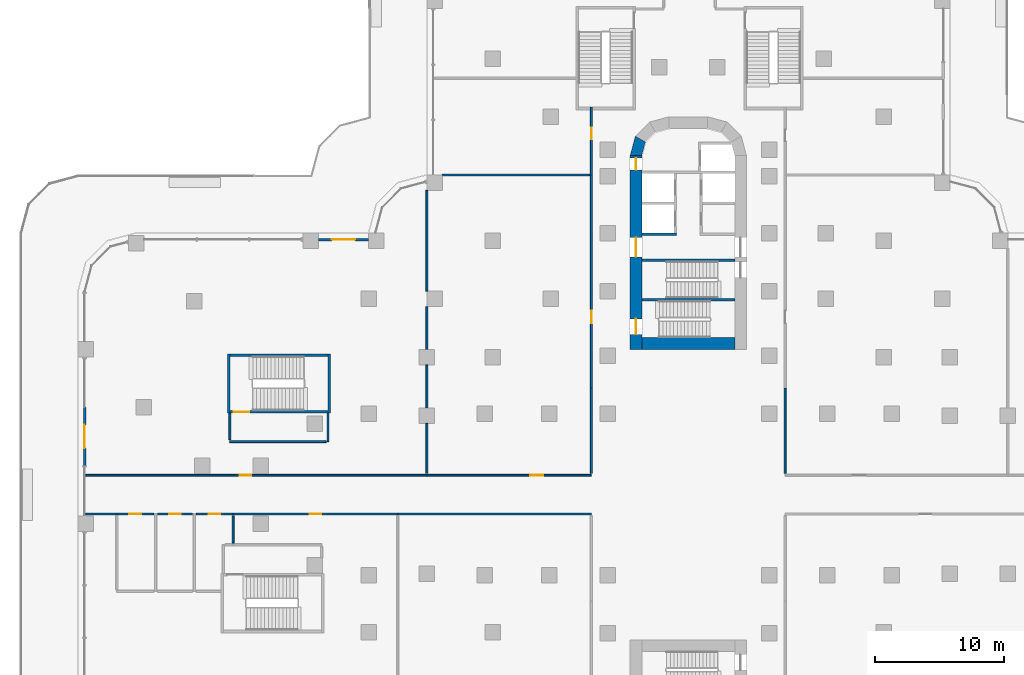
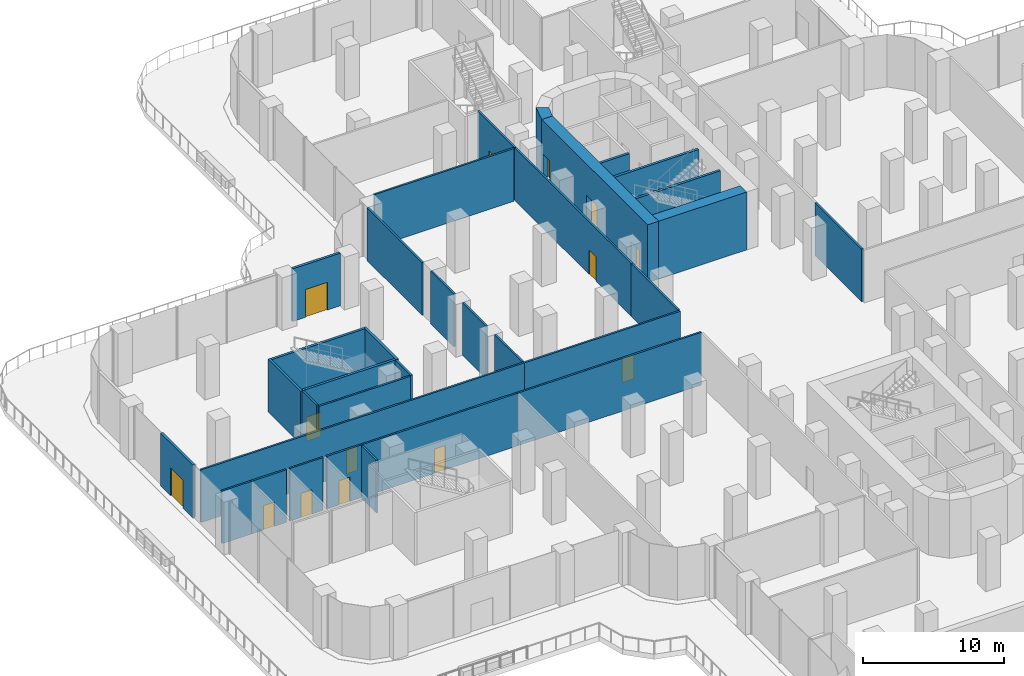
# One storey, part 20 of 29: 33 walls, 14 doors, 14 openings.
"""IFC4 building model written with IfcOpenShell, lengths in metres."""

from ifc_helpers import new_model, si_unit, direction, frame, frame_2d, origin, place, context, subcontext, project, spatial, polyline, rectangle, outline, extrude, material, layer, layer_set, type_object, element, fill, save


model = new_model("IFC4")

# Units and contexts
model_context = context("Model", 3, precision=1e-05, world=origin(), true_north=direction((0.0, 1.0)))
body_context = subcontext(model_context, "Body", "Model", "MODEL_VIEW")
ifc_project = project(units=[si_unit("LENGTHUNIT", "METRE"), si_unit("AREAUNIT", "SQUARE_METRE"), si_unit("VOLUMEUNIT", "CUBIC_METRE"), si_unit("PLANEANGLEUNIT", "RADIAN"), si_unit("MASSUNIT", "GRAM", prefix="KILO")], contexts=[model_context])

# Site, building, storey
site_placement = place(None, origin())
site = spatial("IfcSite", under=ifc_project, at=site_placement, CompositionType="ELEMENT")
building_placement = place(site_placement, origin())
building = spatial("IfcBuilding", under=site, at=building_placement, Name="Zarbagh Exchange Tower", CompositionType="ELEMENT")
storey_placement = place(building_placement, frame((0.0, 0.0, 12.0)))
storey = spatial("IfcBuildingStorey", under=building, at=storey_placement, Name="L02", CompositionType="ELEMENT", Elevation=12.0)

# Walls
ifc_material_1 = material(Name="Plasterboard partition")
ifc_layer_1 = layer(ifc_material_1, 0.14990234375)
ifc_layer_set_1 = layer_set([ifc_layer_1], Name="Board partition 150")
wall_type_1 = type_object("IfcWallType", Name="Board partition 150", PredefinedType="PARTITIONING", material=ifc_layer_set_1)
wall_1_placement = place(storey_placement, frame((-27.89990234375, 6.300048828125, 0.0), z_axis=(0.0, 0.0, 1.0), x_axis=(0.0, -1.0, 0.0)))
element("IfcWall", 1, at=wall_1_placement, inside=storey, type_object=wall_type_1, Name="WL-L02-W010", PredefinedType="PARTITIONING", context=body_context, shape_type="SweptSolid", body=[
    extrude(rectangle(XDim=2.199951171875, YDim=0.14990234375, at=frame_2d((1.10009765625, 0.0))), origin(), (0.0, 0.0, 1.0), 4.550048828125),
])
wall_2_placement = place(storey_placement, frame((-28.050048828125, 4.10009765625, 0.0), z_axis=(0.0, 0.0, 1.0), x_axis=(-1.0, 0.0, 0.0)))
element("IfcWall", 2, at=wall_2_placement, inside=storey, type_object=wall_type_1, Name="WL-L02-W011", PredefinedType="PARTITIONING", context=body_context, shape_type="SweptSolid", body=[
    extrude(rectangle(XDim=7.449951171875, YDim=0.14990234375, at=frame_2d((3.72509765625, 0.0))), origin(), (0.0, 0.0, 1.0), 4.550048828125),
])
wall_3_placement = place(storey_placement, frame((-35.5, 4.25, 0.0), z_axis=(0.0, 0.0, 1.0), x_axis=(0.0, 1.0, 0.0)))
element("IfcWall", 3, at=wall_3_placement, inside=storey, type_object=wall_type_1, Name="WL-L02-W012", PredefinedType="PARTITIONING", context=body_context, shape_type="SweptSolid", body=[
    extrude(rectangle(XDim=2.050048828125, YDim=0.14990234375, at=frame_2d((1.02490234375, 0.0))), origin(), (0.0, 0.0, 1.0), 4.550048828125),
])

# Wall, opening, door
wall_4_placement = place(storey_placement, frame((-41.39990234375, -1.5, 0.0), z_axis=(0.0, 0.0, 1.0), x_axis=(-1.0, 0.0, 0.0)))
wall_4 = element("IfcWall", 4, at=wall_4_placement, inside=storey, type_object=wall_type_1, Name="WL-L02-W022", PredefinedType="PARTITIONING", context=body_context, shape_type="SweptSolid", body=[
    extrude(rectangle(XDim=2.85009765625, YDim=0.14990234375, at=frame_2d((1.425048828125, 0.0))), origin(), (0.0, 0.0, 1.0), 4.550048828125),
])
opening_1_placement = place(wall_4_placement, frame((0.97509765625, 0.0, 0.0)))
opening_1 = element("IfcOpeningElement", 5, at=opening_1_placement, cuts=wall_4, Name="Opening D34", PredefinedType="OPENING", context=body_context, shape_type="SweptSolid", body=[
    extrude(rectangle(XDim=0.89990234375, YDim=2.10009765625, at=frame_2d((0.449951171875, 1.050048828125))), frame((0.0, 0.0849609375, 0.0), z_axis=(0.0, -1.0, 0.0), x_axis=(1.0, 0.0, 0.0)), (0.0, 0.0, 1.0), 0.169921875),
])
ifc_material_2 = material(Name="Timber door leaf", Category="wood")
door_type_1 = type_object("IfcDoorType", Name="Door single 900x2100", OperationType="SINGLE_SWING_LEFT", PredefinedType="DOOR", material=ifc_material_2)
door_1_placement = place(opening_1_placement, origin())
door_1 = element("IfcDoor", 6, at=door_1_placement, inside=storey, type_object=door_type_1, Name="D03", OperationType="SINGLE_SWING_LEFT", OverallHeight=2.10009765625, OverallWidth=0.89990234375, PredefinedType="DOOR", context=body_context, shape_type="SweptSolid", body=[
    extrude(rectangle(XDim=0.89990234375, YDim=2.10009765625, at=frame_2d((0.449951171875, 1.050048828125))), frame((0.0, 0.02490234375, 0.0), z_axis=(0.0, -1.0, 0.0), x_axis=(1.0, 0.0, 0.0)), (0.0, 0.0, 1.0), 0.050048828125),
])
fill(opening_1, door_1)

wall_5_placement = place(storey_placement, frame((-38.39990234375, -1.5, 0.0), z_axis=(0.0, 0.0, 1.0), x_axis=(-1.0, 0.0, 0.0)))
wall_5 = element("IfcWall", 7, at=wall_5_placement, inside=storey, type_object=wall_type_1, Name="WL-L02-W026", PredefinedType="PARTITIONING", context=body_context, shape_type="SweptSolid", body=[
    extrude(rectangle(XDim=2.7001953125, YDim=0.14990234375, at=frame_2d((1.35009765625, 0.0))), origin(), (0.0, 0.0, 1.0), 4.550048828125),
])
opening_2_placement = place(wall_5_placement, frame((0.89990234375, 0.0, 0.0)))
opening_2 = element("IfcOpeningElement", 8, at=opening_2_placement, cuts=wall_5, Name="Opening D37", PredefinedType="OPENING", context=body_context, shape_type="SweptSolid", body=[
    extrude(rectangle(XDim=0.89990234375, YDim=2.10009765625, at=frame_2d((0.449951171875, 1.050048828125))), frame((0.0, 0.0849609375, 0.0), z_axis=(0.0, -1.0, 0.0), x_axis=(1.0, 0.0, 0.0)), (0.0, 0.0, 1.0), 0.169921875),
])
door_2_placement = place(opening_2_placement, origin())
door_2 = element("IfcDoor", 9, at=door_2_placement, inside=storey, type_object=door_type_1, Name="D04", OperationType="SINGLE_SWING_LEFT", OverallHeight=2.10009765625, OverallWidth=0.89990234375, PredefinedType="DOOR", context=body_context, shape_type="SweptSolid", body=[
    extrude(rectangle(XDim=0.89990234375, YDim=2.10009765625, at=frame_2d((0.449951171875, 1.050048828125))), frame((0.0, 0.02490234375, 0.0), z_axis=(0.0, -1.0, 0.0), x_axis=(1.0, 0.0, 0.0)), (0.0, 0.0, 1.0), 0.050048828125),
])
fill(opening_2, door_2)

wall_6_placement = place(storey_placement, frame((-35.25, -1.5, 0.0), z_axis=(0.0, 0.0, 1.0), x_axis=(-1.0, 0.0, 0.0)))
wall_6 = element("IfcWall", 10, at=wall_6_placement, inside=storey, type_object=wall_type_1, Name="WL-L02-W028", PredefinedType="PARTITIONING", context=body_context, shape_type="SweptSolid", body=[
    extrude(rectangle(XDim=2.85009765625, YDim=0.14990234375, at=frame_2d((1.425048828125, 0.0))), origin(), (0.0, 0.0, 1.0), 4.550048828125),
])
opening_3_placement = place(wall_6_placement, frame((0.97509765625, 0.0, 0.0)))
opening_3 = element("IfcOpeningElement", 11, at=opening_3_placement, cuts=wall_6, Name="Opening D41", PredefinedType="OPENING", context=body_context, shape_type="SweptSolid", body=[
    extrude(rectangle(XDim=0.89990234375, YDim=2.10009765625, at=frame_2d((0.449951171875, 1.050048828125))), frame((0.0, 0.0849609375, 0.0), z_axis=(0.0, -1.0, 0.0), x_axis=(1.0, 0.0, 0.0)), (0.0, 0.0, 1.0), 0.169921875),
])
door_3_placement = place(opening_3_placement, origin())
door_3 = element("IfcDoor", 12, at=door_3_placement, inside=storey, type_object=door_type_1, Name="D05", OperationType="SINGLE_SWING_LEFT", OverallHeight=2.10009765625, OverallWidth=0.89990234375, PredefinedType="DOOR", context=body_context, shape_type="SweptSolid", body=[
    extrude(rectangle(XDim=0.89990234375, YDim=2.10009765625, at=frame_2d((0.449951171875, 1.050048828125))), frame((0.0, 0.02490234375, 0.0), z_axis=(0.0, -1.0, 0.0), x_axis=(1.0, 0.0, 0.0)), (0.0, 0.0, 1.0), 0.050048828125),
])
fill(opening_3, door_3)

# Wall
wall_7_placement = place(storey_placement, frame((-35.25, -1.64990234375, 0.0), z_axis=(0.0, 0.0, 1.0), x_axis=(0.0, -1.0, 0.0)))
element("IfcWall", 13, at=wall_7_placement, inside=storey, type_object=wall_type_1, Name="WL-L02-W030", PredefinedType="PARTITIONING", context=body_context, shape_type="SweptSolid", body=[
    extrude(rectangle(XDim=2.10009765625, YDim=0.14990234375, at=frame_2d((1.050048828125, 0.0))), origin(), (0.0, 0.0, 1.0), 4.550048828125),
])

# Wall, opening, door
wall_8_placement = place(storey_placement, frame((-7.5, 8.25, 0.0), z_axis=(0.0, 0.0, 1.0), x_axis=(0.0, 1.0, 0.0)))
wall_8 = element("IfcWall", 14, at=wall_8_placement, inside=storey, type_object=wall_type_1, Name="WL-L02-W033", PredefinedType="PARTITIONING", context=body_context, shape_type="SweptSolid", body=[
    extrude(rectangle(XDim=16.5, YDim=0.14990234375, at=frame_2d((8.25, 0.0))), origin(), (0.0, 0.0, 1.0), 4.550048828125),
])
opening_4_placement = place(wall_8_placement, frame((5.0, 0.0, 0.0)))
opening_4 = element("IfcOpeningElement", 15, at=opening_4_placement, cuts=wall_8, Name="Opening D50", PredefinedType="OPENING", context=body_context, shape_type="SweptSolid", body=[
    extrude(rectangle(XDim=1.0, YDim=2.10009765625, at=frame_2d((0.5, 1.050048828125))), frame((0.0, 0.0849609375, 0.0), z_axis=(0.0, -1.0, 0.0), x_axis=(1.0, 0.0, 0.0)), (0.0, 0.0, 1.0), 0.169921875),
])
door_type_2 = type_object("IfcDoorType", Name="Door single 1000x2100", OperationType="SINGLE_SWING_LEFT", PredefinedType="DOOR", material=ifc_material_2)
door_4_placement = place(opening_4_placement, origin())
door_4 = element("IfcDoor", 16, at=door_4_placement, inside=storey, type_object=door_type_2, Name="D08", OperationType="SINGLE_SWING_LEFT", OverallHeight=2.10009765625, OverallWidth=1.0, PredefinedType="DOOR", context=body_context, shape_type="SweptSolid", body=[
    extrude(rectangle(XDim=1.0, YDim=2.10009765625, at=frame_2d((0.5, 1.050048828125))), frame((0.0, 0.02490234375, 0.0), z_axis=(0.0, -1.0, 0.0), x_axis=(1.0, 0.0, 0.0)), (0.0, 0.0, 1.0), 0.050048828125),
])
fill(opening_4, door_4)

wall_9_placement = place(storey_placement, frame((-7.5, 24.75, 0.0), z_axis=(0.0, 0.0, 1.0), x_axis=(0.0, 1.0, 0.0)))
wall_9 = element("IfcWall", 17, at=wall_9_placement, inside=storey, type_object=wall_type_1, Name="WL-L02-W034", PredefinedType="PARTITIONING", context=body_context, shape_type="SweptSolid", body=[
    extrude(rectangle(XDim=5.25, YDim=0.14990234375, at=frame_2d((2.625, 0.0))), origin(), (0.0, 0.0, 1.0), 4.550048828125),
])
opening_5_placement = place(wall_9_placement, frame((2.75, 0.0, 0.0)))
opening_5 = element("IfcOpeningElement", 18, at=opening_5_placement, cuts=wall_9, Name="Opening D09", PredefinedType="OPENING", context=body_context, shape_type="SweptSolid", body=[
    extrude(rectangle(XDim=0.89990234375, YDim=2.10009765625, at=frame_2d((0.449951171875, 1.050048828125))), frame((0.0, 0.0849609375, 0.0), z_axis=(0.0, -1.0, 0.0), x_axis=(1.0, 0.0, 0.0)), (0.0, 0.0, 1.0), 0.169921875),
])
door_5_placement = place(opening_5_placement, origin())
door_5 = element("IfcDoor", 19, at=door_5_placement, inside=storey, type_object=door_type_1, Name="D09", OperationType="SINGLE_SWING_LEFT", OverallHeight=2.10009765625, OverallWidth=0.89990234375, PredefinedType="DOOR", context=body_context, shape_type="SweptSolid", body=[
    extrude(rectangle(XDim=0.89990234375, YDim=2.10009765625, at=frame_2d((0.449951171875, 1.050048828125))), frame((0.0, 0.02490234375, 0.0), z_axis=(0.0, -1.0, 0.0), x_axis=(1.0, 0.0, 0.0)), (0.0, 0.0, 1.0), 0.050048828125),
])
fill(opening_5, door_5)

wall_10_placement = place(storey_placement, frame((-20.25, 1.5, 0.0), z_axis=(0.0, 0.0, 1.0), x_axis=(1.0, 0.0, 0.0)))
wall_10 = element("IfcWall", 20, at=wall_10_placement, inside=storey, type_object=wall_type_1, Name="WL-L02-W043", PredefinedType="PARTITIONING", context=body_context, shape_type="SweptSolid", body=[
    extrude(rectangle(XDim=12.75, YDim=0.14990234375, at=frame_2d((6.375, 0.0))), origin(), (0.0, 0.0, 1.0), 4.550048828125),
])
opening_6_placement = place(wall_10_placement, frame((8.0, 0.0, 0.0)))
opening_6 = element("IfcOpeningElement", 21, at=opening_6_placement, cuts=wall_10, Name="Opening D60", PredefinedType="OPENING", context=body_context, shape_type="SweptSolid", body=[
    extrude(rectangle(XDim=1.0, YDim=2.10009765625, at=frame_2d((0.5, 1.050048828125))), frame((0.0, 0.0849609375, 0.0), z_axis=(0.0, -1.0, 0.0), x_axis=(1.0, 0.0, 0.0)), (0.0, 0.0, 1.0), 0.169921875),
])
door_6_placement = place(opening_6_placement, origin())
door_6 = element("IfcDoor", 22, at=door_6_placement, inside=storey, type_object=door_type_2, Name="D15", OperationType="SINGLE_SWING_LEFT", OverallHeight=2.10009765625, OverallWidth=1.0, PredefinedType="DOOR", context=body_context, shape_type="SweptSolid", body=[
    extrude(rectangle(XDim=1.0, YDim=2.10009765625, at=frame_2d((0.5, 1.050048828125))), frame((0.0, 0.02490234375, 0.0), z_axis=(0.0, -1.0, 0.0), x_axis=(1.0, 0.0, 0.0)), (0.0, 0.0, 1.0), 0.050048828125),
])
fill(opening_6, door_6)

wall_11_placement = place(storey_placement, frame((-46.64990234375, 1.5, 0.0), z_axis=(0.0, 0.0, 1.0), x_axis=(1.0, 0.0, 0.0)))
wall_11 = element("IfcWall", 23, at=wall_11_placement, inside=storey, type_object=wall_type_1, Name="WL-L02-W044", PredefinedType="PARTITIONING", context=body_context, shape_type="SweptSolid", body=[
    extrude(rectangle(XDim=26.39990234375, YDim=0.14990234375, at=frame_2d((13.199951171875, 0.0))), origin(), (0.0, 0.0, 1.0), 4.550048828125),
])
opening_7_placement = place(wall_11_placement, frame((11.89990234375, 0.0, 0.0)))
opening_7 = element("IfcOpeningElement", 24, at=opening_7_placement, cuts=wall_11, Name="Opening D16", PredefinedType="OPENING", context=body_context, shape_type="SweptSolid", body=[
    extrude(rectangle(XDim=0.89990234375, YDim=2.10009765625, at=frame_2d((0.449951171875, 1.050048828125))), frame((0.0, 0.0849609375, 0.0), z_axis=(0.0, -1.0, 0.0), x_axis=(1.0, 0.0, 0.0)), (0.0, 0.0, 1.0), 0.169921875),
])
door_7_placement = place(opening_7_placement, origin())
door_7 = element("IfcDoor", 25, at=door_7_placement, inside=storey, type_object=door_type_1, Name="D16", OperationType="SINGLE_SWING_LEFT", OverallHeight=2.10009765625, OverallWidth=0.89990234375, PredefinedType="DOOR", context=body_context, shape_type="SweptSolid", body=[
    extrude(rectangle(XDim=0.89990234375, YDim=2.10009765625, at=frame_2d((0.449951171875, 1.050048828125))), frame((0.0, 0.02490234375, 0.0), z_axis=(0.0, -1.0, 0.0), x_axis=(1.0, 0.0, 0.0)), (0.0, 0.0, 1.0), 0.050048828125),
])
fill(opening_7, door_7)

# Walls
wall_12_placement = place(storey_placement, frame((-7.5, -1.5, 0.0), z_axis=(0.0, 0.0, 1.0), x_axis=(-1.0, 0.0, 0.0)))
element("IfcWall", 26, at=wall_12_placement, inside=storey, type_object=wall_type_1, Name="WL-L02-W045", PredefinedType="PARTITIONING", context=body_context, shape_type="SweptSolid", body=[
    extrude(rectangle(XDim=15.0, YDim=0.14990234375, at=frame_2d((7.5, 0.0))), origin(), (0.0, 0.0, 1.0), 4.550048828125),
])
wall_13_placement = place(storey_placement, frame((-44.25, -1.5, 0.0), z_axis=(0.0, 0.0, 1.0), x_axis=(-1.0, 0.0, 0.0)))
element("IfcWall", 27, at=wall_13_placement, inside=storey, type_object=wall_type_1, Name="WL-L02-W046", PredefinedType="PARTITIONING", context=body_context, shape_type="SweptSolid", body=[
    extrude(rectangle(XDim=2.39990234375, YDim=0.14990234375, at=frame_2d((1.199951171875, 0.0))), origin(), (0.0, 0.0, 1.0), 4.550048828125),
])

# Wall, opening, door
wall_14_placement = place(storey_placement, frame((-22.5, -1.5, 0.0), z_axis=(0.0, 0.0, 1.0), x_axis=(-1.0, 0.0, 0.0)))
wall_14 = element("IfcWall", 28, at=wall_14_placement, inside=storey, type_object=wall_type_1, Name="WL-L02-W047", PredefinedType="PARTITIONING", context=body_context, shape_type="SweptSolid", body=[
    extrude(rectangle(XDim=12.75, YDim=0.14990234375, at=frame_2d((6.375, 0.0))), origin(), (0.0, 0.0, 1.0), 4.550048828125),
])
opening_8_placement = place(wall_14_placement, frame((5.925048828125, 0.0, 0.0)))
opening_8 = element("IfcOpeningElement", 29, at=opening_8_placement, cuts=wall_14, Name="Opening D17", PredefinedType="OPENING", context=body_context, shape_type="SweptSolid", body=[
    extrude(rectangle(XDim=0.89990234375, YDim=2.10009765625, at=frame_2d((0.449951171875, 1.050048828125))), frame((0.0, 0.0849609375, 0.0), z_axis=(0.0, -1.0, 0.0), x_axis=(1.0, 0.0, 0.0)), (0.0, 0.0, 1.0), 0.169921875),
])
door_8_placement = place(opening_8_placement, origin())
door_8 = element("IfcDoor", 30, at=door_8_placement, inside=storey, type_object=door_type_1, Name="D17", OperationType="SINGLE_SWING_LEFT", OverallHeight=2.10009765625, OverallWidth=0.89990234375, PredefinedType="DOOR", context=body_context, shape_type="SweptSolid", body=[
    extrude(rectangle(XDim=0.89990234375, YDim=2.10009765625, at=frame_2d((0.449951171875, 1.050048828125))), frame((0.0, 0.02490234375, 0.0), z_axis=(0.0, -1.0, 0.0), x_axis=(1.0, 0.0, 0.0)), (0.0, 0.0, 1.0), 0.050048828125),
])
fill(opening_8, door_8)

# Walls
wall_15_placement = place(storey_placement, frame((7.5, 1.64990234375, 0.0), z_axis=(0.0, 0.0, 1.0), x_axis=(0.0, 1.0, 0.0)))
element("IfcWall", 31, at=wall_15_placement, inside=storey, type_object=wall_type_1, Name="WL-L02-W054", PredefinedType="PARTITIONING", context=body_context, shape_type="SweptSolid", body=[
    extrude(rectangle(XDim=6.60009765625, YDim=0.14990234375, at=frame_2d((3.300048828125, 0.0))), origin(), (0.0, 0.0, 1.0), 4.550048828125),
])
wall_16_placement = place(storey_placement, frame((-20.25, 1.64990234375, 0.0), z_axis=(0.0, 0.0, 1.0), x_axis=(0.0, 1.0, 0.0)))
element("IfcWall", 32, at=wall_16_placement, inside=storey, type_object=wall_type_1, Name="WL-L02-W056", PredefinedType="PARTITIONING", context=body_context, shape_type="SweptSolid", body=[
    extrude(rectangle(XDim=3.860107421875, YDim=0.14990234375, at=frame_2d((1.93017578125, 0.0))), origin(), (0.0, 0.0, 1.0), 4.550048828125),
])
wall_17_placement = place(storey_placement, frame((-20.25, 6.7099609375, 0.0), z_axis=(0.0, 0.0, 1.0), x_axis=(0.0, 1.0, 0.0)))
element("IfcWall", 33, at=wall_17_placement, inside=storey, type_object=wall_type_1, Name="WL-L02-W057", PredefinedType="PARTITIONING", context=body_context, shape_type="SweptSolid", body=[
    extrude(rectangle(XDim=3.340087890625, YDim=0.14990234375, at=frame_2d((1.669921875, 0.0))), origin(), (0.0, 0.0, 1.0), 4.550048828125),
])
wall_18_placement = place(storey_placement, frame((-20.25, 11.25, 0.0), z_axis=(0.0, 0.0, 1.0), x_axis=(0.0, 1.0, 0.0)))
element("IfcWall", 34, at=wall_18_placement, inside=storey, type_object=wall_type_1, Name="WL-L02-W058", PredefinedType="PARTITIONING", context=body_context, shape_type="SweptSolid", body=[
    extrude(rectangle(XDim=3.300048828125, YDim=0.14990234375, at=frame_2d((1.64990234375, 0.0))), origin(), (0.0, 0.0, 1.0), 4.550048828125),
])
wall_19_placement = place(storey_placement, frame((-20.25, 15.75, 0.0), z_axis=(0.0, 0.0, 1.0), x_axis=(0.0, 1.0, 0.0)))
element("IfcWall", 35, at=wall_19_placement, inside=storey, type_object=wall_type_1, Name="WL-L02-W059", PredefinedType="PARTITIONING", context=body_context, shape_type="SweptSolid", body=[
    extrude(rectangle(XDim=7.800048828125, YDim=0.14990234375, at=frame_2d((3.89990234375, 0.0))), origin(), (0.0, 0.0, 1.0), 4.550048828125),
])
wall_20_placement = place(storey_placement, frame((-19.050048828125, 24.75, 0.0), z_axis=(0.0, 0.0, 1.0), x_axis=(1.0, 0.0, 0.0)))
element("IfcWall", 36, at=wall_20_placement, inside=storey, type_object=wall_type_1, Name="WL-L02-W060", PredefinedType="PARTITIONING", context=body_context, shape_type="SweptSolid", body=[
    extrude(rectangle(XDim=11.400146484375, YDim=0.14990234375, at=frame_2d((5.7001953125, 0.0))), origin(), (0.0, 0.0, 1.0), 4.550048828125),
])
wall_21_placement = place(storey_placement, frame((-7.5, 8.25, 0.0), z_axis=(0.0, 0.0, 1.0), x_axis=(0.0, -1.0, 0.0)))
element("IfcWall", 37, at=wall_21_placement, inside=storey, type_object=wall_type_1, Name="WL-L02-W061", PredefinedType="PARTITIONING", context=body_context, shape_type="SweptSolid", body=[
    extrude(rectangle(XDim=6.60009765625, YDim=0.14990234375, at=frame_2d((3.300048828125, 0.0))), origin(), (0.0, 0.0, 1.0), 4.550048828125),
])
ifc_material_3 = material(Name="Concrete C60/75", Category="concrete")
ifc_layer_2 = layer(ifc_material_3, 0.89990234375)
ifc_layer_set_2 = layer_set([ifc_layer_2], Name="RC core corner wall 900 C60/75")
wall_type_2 = type_object("IfcWallType", Name="RC core corner wall 900 C60/75", PredefinedType="SHEAR", material=ifc_layer_set_2)
wall_22_placement = place(storey_placement, origin())
element("IfcWall", 38, at=wall_22_placement, inside=storey, type_object=wall_type_2, Name="CW2 core N corner W", PredefinedType="SHEAR", context=body_context, shape_type="SweptSolid", body=[
    extrude(outline(polyline([(-4.5, 26.25), (-4.09814453125, 27.75), (-3.318603515625, 27.300048828125), (-3.60009765625, 26.25), (-4.5, 26.25)])), origin(), (0.0, 0.0, 1.0), 5.0),
])

# Wall, openings, doors
ifc_layer_3 = layer(ifc_material_3, 0.89990234375)
ifc_layer_set_3 = layer_set([ifc_layer_3], Name="RC core wall 900 C60/75")
wall_type_3 = type_object("IfcWallType", Name="RC core wall 900 C60/75", PredefinedType="SHEAR", material=ifc_layer_set_3)
wall_23_placement = place(storey_placement, frame((-4.050048828125, 11.25, 0.0), z_axis=(0.0, 0.0, 1.0), x_axis=(0.0, 1.0, 0.0)))
wall_23 = element("IfcWall", 39, at=wall_23_placement, inside=storey, type_object=wall_type_3, Name="CW1 core N W", PredefinedType="SHEAR", context=body_context, shape_type="SweptSolid", body=[
    extrude(rectangle(XDim=15.0, YDim=0.89990234375, at=frame_2d((7.5, 0.0))), origin(), (0.0, 0.0, 1.0), 5.0),
])
opening_9_placement = place(wall_23_placement, frame((7.14990234375, 0.0, 0.0)))
opening_9 = element("IfcOpeningElement", 40, at=opening_9_placement, cuts=wall_23, Name="Opening CD1-1500", PredefinedType="OPENING", context=body_context, shape_type="SweptSolid", body=[
    extrude(rectangle(XDim=1.5, YDim=2.300048828125, at=frame_2d((0.75, 1.14990234375))), frame((0.0, 0.4599609375, 0.0), z_axis=(0.0, -1.0, 0.0), x_axis=(1.0, 0.0, 0.0)), (0.0, 0.0, 1.0), 0.919921875),
])
opening_10_placement = place(wall_23_placement, frame((13.89990234375, 0.0, 0.0)))
opening_10 = element("IfcOpeningElement", 41, at=opening_10_placement, cuts=wall_23, Name="Opening CD2-900", PredefinedType="OPENING", context=body_context, shape_type="SweptSolid", body=[
    extrude(rectangle(XDim=0.89990234375, YDim=2.10009765625, at=frame_2d((0.449951171875, 1.050048828125))), frame((0.0, 0.4599609375, 0.0), z_axis=(0.0, -1.0, 0.0), x_axis=(1.0, 0.0, 0.0)), (0.0, 0.0, 1.0), 0.919921875),
])
opening_11_placement = place(wall_23_placement, frame((1.14990234375, 0.0, 0.0)))
opening_11 = element("IfcOpeningElement", 42, at=opening_11_placement, cuts=wall_23, Name="Opening SD1-1200", PredefinedType="OPENING", context=body_context, shape_type="SweptSolid", body=[
    extrude(rectangle(XDim=1.199951171875, YDim=2.10009765625, at=frame_2d((0.60009765625, 1.050048828125))), frame((0.0, 0.4599609375, 0.0), z_axis=(0.0, -1.0, 0.0), x_axis=(1.0, 0.0, 0.0)), (0.0, 0.0, 1.0), 0.919921875),
])
ifc_material_4 = material(Name="Steel", Category="steel")
door_type_3 = type_object("IfcDoorType", Name="Exit stair door 1200 x 2100", OperationType="NOTDEFINED", PredefinedType="DOOR", material=ifc_material_4)
door_9_placement = place(opening_11_placement, origin())
door_9 = element("IfcDoor", 43, at=door_9_placement, inside=storey, type_object=door_type_3, Name="North core stair door ST2", OperationType="SINGLE_SWING_RIGHT", OverallHeight=2.10009765625, OverallWidth=1.199951171875, PredefinedType="DOOR", context=body_context, shape_type="SweptSolid", body=[
    extrude(rectangle(XDim=1.199951171875, YDim=2.10009765625, at=frame_2d((0.60009765625, 1.050048828125))), frame((0.0, 0.02490234375, 0.0), z_axis=(0.0, -1.0, 0.0), x_axis=(1.0, 0.0, 0.0)), (0.0, 0.0, 1.0), 0.050048828125),
])
fill(opening_11, door_9)
door_type_4 = type_object("IfcDoorType", Name="Firefighting lobby door 900 x 2100", OperationType="NOTDEFINED", PredefinedType="DOOR", material=ifc_material_4)
door_10_placement = place(opening_10_placement, origin())
door_10 = element("IfcDoor", 44, at=door_10_placement, inside=storey, type_object=door_type_4, Name="North core firefighting lobby door FF-W", OperationType="SINGLE_SWING_RIGHT", OverallHeight=2.10009765625, OverallWidth=0.89990234375, PredefinedType="DOOR", context=body_context, shape_type="SweptSolid", body=[
    extrude(rectangle(XDim=0.89990234375, YDim=2.10009765625, at=frame_2d((0.449951171875, 1.050048828125))), frame((0.0, 0.02490234375, 0.0), z_axis=(0.0, -1.0, 0.0), x_axis=(1.0, 0.0, 0.0)), (0.0, 0.0, 1.0), 0.050048828125),
])
fill(opening_10, door_10)
door_type_5 = type_object("IfcDoorType", Name="Lift lobby double door 1500 x 2300", OperationType="NOTDEFINED", PredefinedType="DOOR", material=ifc_material_4)
door_11_placement = place(opening_9_placement, origin())
door_11 = element("IfcDoor", 45, at=door_11_placement, inside=storey, type_object=door_type_5, Name="North core lift lobby door LOBBY-W", OperationType="DOUBLE_DOOR_SINGLE_SWING", OverallHeight=2.300048828125, OverallWidth=1.5, PredefinedType="DOOR", context=body_context, shape_type="SweptSolid", body=[
    extrude(rectangle(XDim=1.5, YDim=2.300048828125, at=frame_2d((0.75, 1.14990234375))), frame((0.0, 0.02490234375, 0.0), z_axis=(0.0, -1.0, 0.0), x_axis=(1.0, 0.0, 0.0)), (0.0, 0.0, 1.0), 0.050048828125),
])
fill(opening_9, door_11)

# Walls
wall_24_placement = place(storey_placement, frame((-3.60009765625, 11.699951171875, 0.0), z_axis=(0.0, 0.0, 1.0), x_axis=(1.0, 0.0, 0.0)))
element("IfcWall", 46, at=wall_24_placement, inside=storey, type_object=wall_type_3, Name="CW1 core N inner end", PredefinedType="SHEAR", context=body_context, shape_type="SweptSolid", body=[
    extrude(rectangle(XDim=7.2001953125, YDim=0.89990234375, at=frame_2d((3.60009765625, 0.0))), origin(), (0.0, 0.0, 1.0), 5.0),
])
ifc_material_5 = material(Name="Dense blockwork", Category="masonry")
ifc_layer_4 = layer(ifc_material_5, 0.199951171875)
ifc_layer_set_4 = layer_set([ifc_layer_4], Name="Shaft wall 200 mm blockwork")
wall_type_4 = type_object("IfcWallType", Name="Shaft wall 200 mm blockwork", PredefinedType="PARTITIONING", material=ifc_layer_set_4)
wall_25_placement = place(storey_placement, frame((-3.60009765625, 20.14990234375, 0.0), z_axis=(0.0, 0.0, 1.0), x_axis=(1.0, 0.0, 0.0)))
element("IfcWall", 47, at=wall_25_placement, inside=storey, type_object=wall_type_4, Name="North core shaft wall AB-W", PredefinedType="PARTITIONING", context=body_context, shape_type="SweptSolid", body=[
    extrude(rectangle(XDim=2.7001953125, YDim=0.199951171875, at=frame_2d((1.35009765625, 0.0))), origin(), (0.0, 0.0, 1.0), 4.550048828125),
])
ifc_material_6 = material(Name="Concrete C40/50", Category="concrete")
ifc_layer_5 = layer(ifc_material_6, 0.199951171875)
ifc_layer_set_5 = layer_set([ifc_layer_5], Name="Stair enclosure wall 200 mm RC C40/50")
wall_type_5 = type_object("IfcWallType", Name="Stair enclosure wall 200 mm RC C40/50", PredefinedType="SHEAR", material=ifc_layer_set_5)
for number, where, z_axis, x_axis, name in (
    (48, (-3.60009765625, 18.14990234375, 0.0), (0.0, 0.0, 1.0), (1.0, 0.0, 0.0), "North core stair wall BS"),
    (49, (-3.60009765625, 15.10009765625, 0.0), (0.0, 0.0, 1.0), (1.0, 0.0, 0.0), "North core stair wall ST12"),
):
    element("IfcWall", number, at=place(storey_placement, frame(where, z_axis=z_axis, x_axis=x_axis)), inside=storey, type_object=wall_type_5, Name=name, PredefinedType="SHEAR", context=body_context, shape_type="SweptSolid", body=[
        extrude(rectangle(XDim=7.2001953125, YDim=0.199951171875, at=frame_2d((3.60009765625, 0.0))), origin(), (0.0, 0.0, 1.0), 4.550048828125),
    ])
for number, where, z_axis, x_axis, name in (
    (50, (-35.60009765625, 6.300048828125, 0.0), (0.0, 0.0, 1.0), (0.0, 1.0, 0.0), "Exit stair PS5 enclosure wall W"),
    (51, (-27.800048828125, 6.300048828125, 0.0), (0.0, 0.0, 1.0), (0.0, 1.0, 0.0), "Exit stair PS5 enclosure wall E"),
):
    element("IfcWall", number, at=place(storey_placement, frame(where, z_axis=z_axis, x_axis=x_axis)), inside=storey, type_object=wall_type_5, Name=name, PredefinedType="SHEAR", context=body_context, shape_type="SweptSolid", body=[
        extrude(rectangle(XDim=4.599853515625, YDim=0.199951171875, at=frame_2d((2.2998046875, 0.0))), origin(), (0.0, 0.0, 1.0), 4.550048828125),
    ])

# Wall, opening, door
wall_26_placement = place(storey_placement, frame((-35.5, 6.39990234375, 0.0), z_axis=(0.0, 0.0, 1.0), x_axis=(1.0, 0.0, 0.0)))
wall_26 = element("IfcWall", 52, at=wall_26_placement, inside=storey, type_object=wall_type_5, Name="Exit stair PS5 enclosure wall S", PredefinedType="SHEAR", context=body_context, shape_type="SweptSolid", body=[
    extrude(rectangle(XDim=7.60009765625, YDim=0.199951171875, at=frame_2d((3.800048828125, 0.0))), origin(), (0.0, 0.0, 1.0), 4.550048828125),
])
opening_12_placement = place(wall_26_placement, frame((0.300048828125, 0.0, 0.0)))
opening_12 = element("IfcOpeningElement", 53, at=opening_12_placement, cuts=wall_26, Name="Opening SD1-1200", PredefinedType="OPENING", context=body_context, shape_type="SweptSolid", body=[
    extrude(rectangle(XDim=1.199951171875, YDim=2.10009765625, at=frame_2d((0.60009765625, 1.050048828125))), frame((0.0, 0.10986328125, 0.0), z_axis=(0.0, -1.0, 0.0), x_axis=(1.0, 0.0, 0.0)), (0.0, 0.0, 1.0), 0.219970703125),
])
door_12_placement = place(opening_12_placement, origin())
door_12 = element("IfcDoor", 54, at=door_12_placement, inside=storey, type_object=door_type_3, Name="Exit stair PS5 entry door", OperationType="SINGLE_SWING_RIGHT", OverallHeight=2.10009765625, OverallWidth=1.199951171875, PredefinedType="DOOR", context=body_context, shape_type="SweptSolid", body=[
    extrude(rectangle(XDim=1.199951171875, YDim=2.10009765625, at=frame_2d((0.60009765625, 1.050048828125))), frame((0.0, 0.02490234375, 0.0), z_axis=(0.0, -1.0, 0.0), x_axis=(1.0, 0.0, 0.0)), (0.0, 0.0, 1.0), 0.050048828125),
])
fill(opening_12, door_12)

# Wall
wall_27_placement = place(storey_placement, frame((-35.5, 10.800048828125, 0.0), z_axis=(0.0, 0.0, 1.0), x_axis=(1.0, 0.0, 0.0)))
element("IfcWall", 55, at=wall_27_placement, inside=storey, type_object=wall_type_5, Name="Exit stair PS5 enclosure wall N", PredefinedType="SHEAR", context=body_context, shape_type="SweptSolid", body=[
    extrude(rectangle(XDim=7.60009765625, YDim=0.199951171875, at=frame_2d((3.800048828125, 0.0))), origin(), (0.0, 0.0, 1.0), 4.550048828125),
])

# Wall, opening, door
ifc_material_7 = material(Name="Precast concrete C50/60", Category="concrete")
ifc_layer_6 = layer(ifc_material_7, 0.199951171875)
ifc_layer_set_6 = layer_set([ifc_layer_6], Name="Terrace door wall, precast concrete C50/60")
wall_type_6 = type_object("IfcWallType", Name="Terrace door wall, precast concrete C50/60", PredefinedType="SOLIDWALL", material=ifc_layer_set_6)
wall_28_placement = place(storey_placement, frame((-24.75, 19.75, 0.0), z_axis=(0.0, 0.0, 1.0), x_axis=(-1.0, 0.0, 0.0)))
wall_28 = element("IfcWall", 56, at=wall_28_placement, inside=storey, type_object=wall_type_6, Name="TW14 door wall", PredefinedType="SOLIDWALL", context=body_context, shape_type="SweptSolid", body=[
    extrude(rectangle(XDim=3.900146484375, YDim=0.199951171875, at=frame_2d((1.9501953125, 0.0))), origin(), (0.0, 0.0, 1.0), 4.550048828125),
])
opening_13_placement = place(wall_28_placement, frame((1.050048828125, 0.0, 0.0)))
opening_13 = element("IfcOpeningElement", 57, at=opening_13_placement, cuts=wall_28, Name="Opening TD03", PredefinedType="OPENING", context=body_context, shape_type="SweptSolid", body=[
    extrude(rectangle(XDim=1.800048828125, YDim=2.39990234375, at=frame_2d((0.89990234375, 1.199951171875))), frame((0.0, 0.10986328125, 0.0), z_axis=(0.0, -1.0, 0.0), x_axis=(1.0, 0.0, 0.0)), (0.0, 0.0, 1.0), 0.219970703125),
])
ifc_material_8 = material(Name="Anodised aluminium and glass", Category="aluminium")
door_type_6 = type_object("IfcDoorType", Name="Terrace door, double leaf, aluminium and glass", OperationType="DOUBLE_DOOR_DOUBLE_SWING", PredefinedType="DOOR", material=ifc_material_8)
door_13_placement = place(opening_13_placement, origin())
door_13 = element("IfcDoor", 58, at=door_13_placement, inside=storey, type_object=door_type_6, Name="TD03 terrace door", OperationType="SINGLE_SWING_LEFT", OverallHeight=2.39990234375, OverallWidth=1.800048828125, PredefinedType="DOOR", context=body_context, shape_type="SweptSolid", body=[
    extrude(rectangle(XDim=1.800048828125, YDim=2.39990234375, at=frame_2d((0.89990234375, 1.199951171875))), frame((0.0, 0.02490234375, 0.0), z_axis=(0.0, -1.0, 0.0), x_axis=(1.0, 0.0, 0.0)), (0.0, 0.0, 1.0), 0.050048828125),
])
fill(opening_13, door_13)

wall_29_placement = place(storey_placement, frame((-46.75, 6.7900390625, 0.0), z_axis=(0.0, 0.0, 1.0), x_axis=(0.0, -1.0, 0.0)))
wall_29 = element("IfcWall", 59, at=wall_29_placement, inside=storey, type_object=wall_type_6, Name="TW15 door wall", PredefinedType="SOLIDWALL", context=body_context, shape_type="SweptSolid", body=[
    extrude(rectangle(XDim=4.580078125, YDim=0.199951171875, at=frame_2d((2.2900390625, 0.0))), origin(), (0.0, 0.0, 1.0), 4.550048828125),
])
opening_14_placement = place(wall_29_placement, frame((1.389892578125, 0.0, 0.0)))
opening_14 = element("IfcOpeningElement", 60, at=opening_14_placement, cuts=wall_29, Name="Opening TD03", PredefinedType="OPENING", context=body_context, shape_type="SweptSolid", body=[
    extrude(rectangle(XDim=1.800048828125, YDim=2.39990234375, at=frame_2d((0.89990234375, 1.199951171875))), frame((0.0, 0.10986328125, 0.0), z_axis=(0.0, -1.0, 0.0), x_axis=(1.0, 0.0, 0.0)), (0.0, 0.0, 1.0), 0.219970703125),
])
door_14_placement = place(opening_14_placement, origin())
door_14 = element("IfcDoor", 61, at=door_14_placement, inside=storey, type_object=door_type_6, Name="TD03 terrace door", OperationType="SINGLE_SWING_LEFT", OverallHeight=2.39990234375, OverallWidth=1.800048828125, PredefinedType="DOOR", context=body_context, shape_type="SweptSolid", body=[
    extrude(rectangle(XDim=1.800048828125, YDim=2.39990234375, at=frame_2d((0.89990234375, 1.199951171875))), frame((0.0, 0.02490234375, 0.0), z_axis=(0.0, -1.0, 0.0), x_axis=(1.0, 0.0, 0.0)), (0.0, 0.0, 1.0), 0.050048828125),
])
fill(opening_14, door_14)

save(model, "model.ifc")
